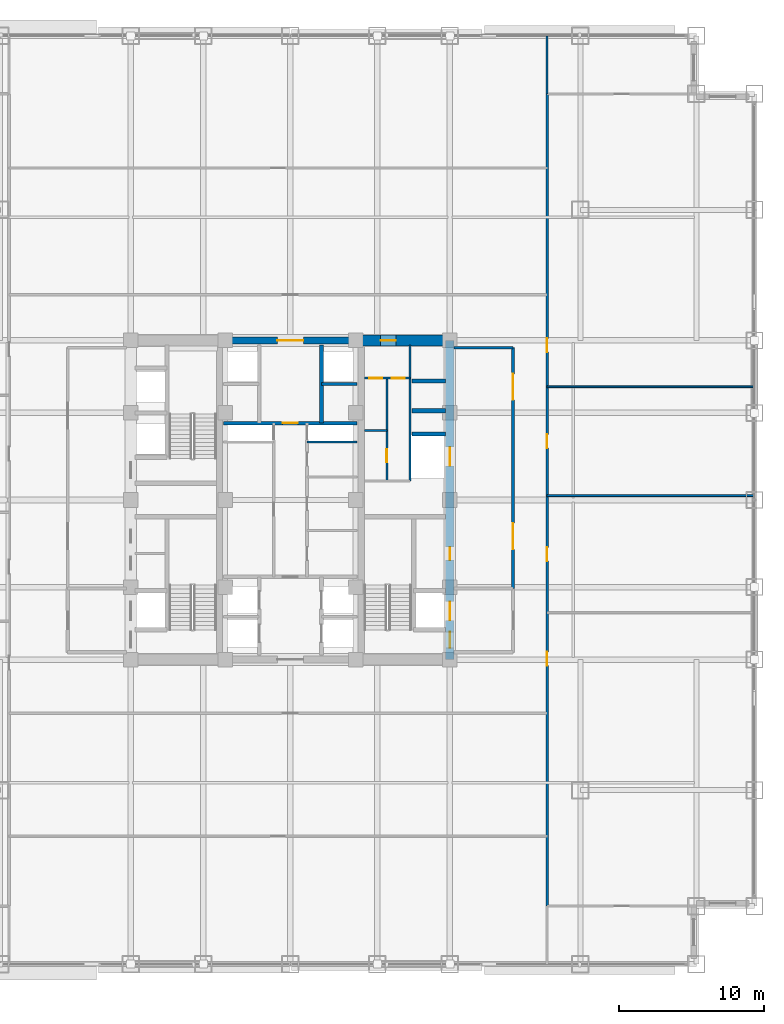
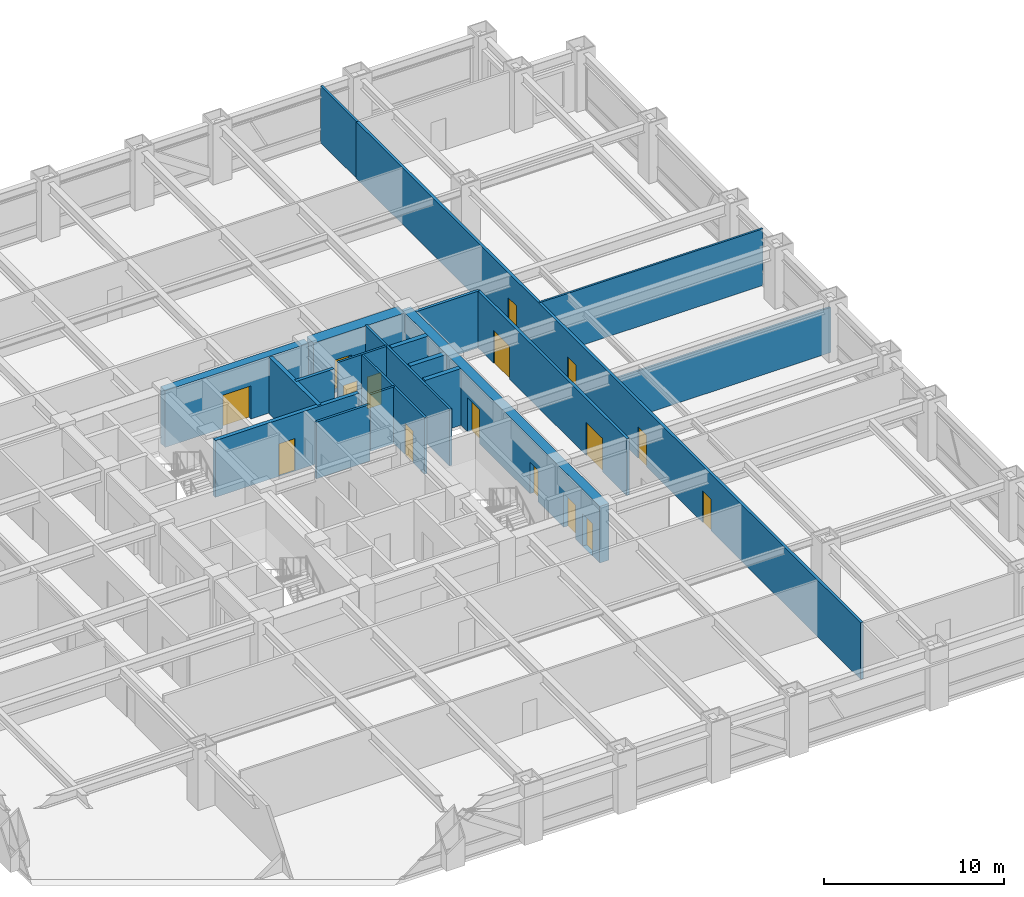
# One storey, part 26 of 32: 20 walls, 16 doors, 16 openings.
"""IFC4 building model written with IfcOpenShell, lengths in metres."""

from ifc_helpers import new_model, si_unit, direction, frame, frame_2d, origin, place, context, subcontext, project, spatial, rectangle, extrude, source, transform, mapped, material, layer, layer_set, type_object, element, fill, save


model = new_model("IFC4")

# Units and contexts
model_context = context("Model", 3, precision=1e-05, world=origin(), true_north=direction((0.0, 1.0)))
body_context = subcontext(model_context, "Body", "Model", "MODEL_VIEW")
ifc_project = project(units=[si_unit("LENGTHUNIT", "METRE"), si_unit("AREAUNIT", "SQUARE_METRE"), si_unit("VOLUMEUNIT", "CUBIC_METRE"), si_unit("PLANEANGLEUNIT", "RADIAN"), si_unit("MASSUNIT", "GRAM", prefix="KILO")], contexts=[model_context])

# Site, building, storey
site_placement = place(None, origin())
site = spatial("IfcSite", under=ifc_project, at=site_placement, CompositionType="ELEMENT")
building_placement = place(site_placement, origin())
building = spatial("IfcBuilding", under=site, at=building_placement, Name="Khorayat Bourse Tower", CompositionType="ELEMENT")
storey_placement = place(building_placement, frame((0.0, 0.0, 95.5)))
storey = spatial("IfcBuildingStorey", under=building, at=storey_placement, Name="L21", CompositionType="ELEMENT", Elevation=95.5)

# Wall, openings, doors
ifc_material_1 = material(Name="Concrete C60/75", Category="concrete")
ifc_layer_1 = layer(ifc_material_1, 0.60009765625)
ifc_layer_set_1 = layer_set([ifc_layer_1], Name="Concrete C60/75")
wall_type_1 = type_object("IfcWallType", Name="WAL-CORE-600", PredefinedType="SHEAR", material=ifc_layer_set_1)
shared_shape_1 = source(origin(), body_context, "Body", "SweptSolid", [
    extrude(rectangle(XDim=22.0, YDim=0.60009765625, at=frame_2d((11.0, 0.0))), origin(), (0.0, 0.0, 1.0), 3.840087890625),
])
wall_1_placement = place(storey_placement, frame((11.0, -11.0, 0.0), z_axis=(0.0, 0.0, 1.0), x_axis=(0.0, 1.0, 0.0)))
wall_1 = element("IfcWall", 1, at=wall_1_placement, inside=storey, type_object=wall_type_1, Name="L21 Core Shear Wall CORE-E", PredefinedType="SHEAR", context=body_context, shape_type="MappedRepresentation", body=[
    mapped(shared_shape_1, transform((0.0, 0.0, 0.0), scale=1.0)),
])
shared_shape_2 = source(origin(), body_context, "Body", "SweptSolid", [
    extrude(rectangle(XDim=1.10009765625, YDim=2.199951171875, at=frame_2d((0.550048828125, 1.10009765625))), frame((0.0, 0.31005859375, 0.0), z_axis=(0.0, -1.0, 0.0), x_axis=(1.0, 0.0, 0.0)), (0.0, 0.0, 1.0), 0.6201171875),
])
opening_1_placement = place(wall_1_placement, frame((0.800048828125, 0.0, 0.0)))
opening_1 = element("IfcOpeningElement", 2, at=opening_1_placement, cuts=wall_1, Name="Opening DI-01", PredefinedType="OPENING", context=body_context, shape_type="MappedRepresentation", body=[
    mapped(shared_shape_2, transform((0.0, 0.0, 0.0), scale=1.0)),
])
shared_shape_3 = source(origin(), body_context, "Body", "SweptSolid", [
    extrude(rectangle(XDim=0.89990234375, YDim=2.14990234375, at=frame_2d((0.449951171875, 1.074951171875))), frame((0.0, 0.31005859375, 0.0), z_axis=(0.0, -1.0, 0.0), x_axis=(1.0, 0.0, 0.0)), (0.0, 0.0, 1.0), 0.6201171875),
])
opening_2_placement = place(wall_1_placement, frame((6.85009765625, 0.0, 0.0)))
opening_2 = element("IfcOpeningElement", 3, at=opening_2_placement, cuts=wall_1, Name="Opening DI-06", PredefinedType="OPENING", context=body_context, shape_type="MappedRepresentation", body=[
    mapped(shared_shape_3, transform((0.0, 0.0, 0.0), scale=1.0)),
])
shared_shape_4 = source(origin(), body_context, "Body", "SweptSolid", [
    extrude(rectangle(XDim=1.300048828125, YDim=2.300048828125, at=frame_2d((0.64990234375, 1.14990234375))), frame((0.0, 0.31005859375, 0.0), z_axis=(0.0, -1.0, 0.0), x_axis=(1.0, 0.0, 0.0)), (0.0, 0.0, 1.0), 0.6201171875),
])
opening_3_placement = place(wall_1_placement, frame((2.699951171875, 0.0, 0.0)))
opening_3 = element("IfcOpeningElement", 4, at=opening_3_placement, cuts=wall_1, Name="Opening LD-02", PredefinedType="OPENING", context=body_context, shape_type="MappedRepresentation", body=[
    mapped(shared_shape_4, transform((0.0, 0.0, 0.0), scale=1.0)),
])
opening_4_placement = place(wall_1_placement, frame((13.35009765625, 0.0, 0.0)))
opening_4 = element("IfcOpeningElement", 5, at=opening_4_placement, cuts=wall_1, Name="Opening LD-02", PredefinedType="OPENING", context=body_context, shape_type="MappedRepresentation", body=[
    mapped(shared_shape_4, transform((0.0, 0.0, 0.0), scale=1.0)),
])
ifc_material_2 = material(Name="Fire-rated steel acoustic leaf", Category="steel")
door_type_1 = type_object("IfcDoorType", Name="DR-INT-STAIR-1100", OperationType="NOTDEFINED", PredefinedType="DOOR", material=ifc_material_2)
shared_shape_5 = source(origin(), body_context, "Body", "SweptSolid", [
    extrude(rectangle(XDim=1.10009765625, YDim=2.199951171875, at=frame_2d((0.550048828125, 1.10009765625))), frame((0.0, 0.02490234375, 0.0), z_axis=(0.0, -1.0, 0.0), x_axis=(1.0, 0.0, 0.0)), (0.0, 0.0, 1.0), 0.050048828125),
])
door_1_placement = place(opening_1_placement, origin())
door_1 = element("IfcDoor", 6, at=door_1_placement, inside=storey, type_object=door_type_1, Name="L21 Exit Stair 3 Door", OperationType="SINGLE_SWING_LEFT", OverallHeight=2.199951171875, OverallWidth=1.10009765625, PredefinedType="DOOR", context=body_context, shape_type="MappedRepresentation", body=[
    mapped(shared_shape_5, transform((0.0, 0.0, 0.0), scale=1.0)),
])
fill(opening_1, door_1)
ifc_material_3 = material(Name="Moisture-resistant laminate washroom door")
door_type_2 = type_object("IfcDoorType", Name="DR-INT-WC-900", OperationType="NOTDEFINED", PredefinedType="DOOR", material=ifc_material_3)
shared_shape_6 = source(origin(), body_context, "Body", "SweptSolid", [
    extrude(rectangle(XDim=0.89990234375, YDim=2.14990234375, at=frame_2d((0.449951171875, 1.074951171875))), frame((0.0, 0.02490234375, 0.0), z_axis=(0.0, -1.0, 0.0), x_axis=(1.0, 0.0, 0.0)), (0.0, 0.0, 1.0), 0.050048828125),
])
door_2_placement = place(opening_2_placement, origin())
door_2 = element("IfcDoor", 7, at=door_2_placement, inside=storey, type_object=door_type_2, Name="L21 Telecom Server Plant Room Door", OperationType="SINGLE_SWING_LEFT", OverallHeight=2.14990234375, OverallWidth=0.89990234375, PredefinedType="DOOR", context=body_context, shape_type="MappedRepresentation", body=[
    mapped(shared_shape_6, transform((0.0, 0.0, 0.0), scale=1.0)),
])
fill(opening_2, door_2)
ifc_material_4 = material(Name="Fire-rated stainless-steel sliding landing door", Category="steel")
door_type_3 = type_object("IfcDoorType", Name="DR-LIFT-FF-1300", OperationType="NOTDEFINED", PredefinedType="DOOR", material=ifc_material_4)
shared_shape_7 = source(origin(), body_context, "Body", "SweptSolid", [
    extrude(rectangle(XDim=1.300048828125, YDim=2.300048828125, at=frame_2d((0.64990234375, 1.14990234375))), frame((0.0, 0.02490234375, 0.0), z_axis=(0.0, -1.0, 0.0), x_axis=(1.0, 0.0, 0.0)), (0.0, 0.0, 1.0), 0.050048828125),
])
door_3_placement = place(opening_3_placement, origin())
door_3 = element("IfcDoor", 8, at=door_3_placement, inside=storey, type_object=door_type_3, Name="L21 Lift FFL-02 Sliding Landing Door", OperationType="SLIDING_TO_LEFT", OverallHeight=2.300048828125, OverallWidth=1.300048828125, PredefinedType="DOOR", context=body_context, shape_type="MappedRepresentation", body=[
    mapped(shared_shape_7, transform((0.0, 0.0, 0.0), scale=1.0)),
])
fill(opening_3, door_3)
door_4_placement = place(opening_4_placement, origin())
door_4 = element("IfcDoor", 9, at=door_4_placement, inside=storey, type_object=door_type_3, Name="L21 Lift SVL-01 Sliding Landing Door", OperationType="SLIDING_TO_LEFT", OverallHeight=2.300048828125, OverallWidth=1.300048828125, PredefinedType="DOOR", context=body_context, shape_type="MappedRepresentation", body=[
    mapped(shared_shape_7, transform((0.0, 0.0, 0.0), scale=1.0)),
])
fill(opening_4, door_4)

# Wall, opening, door
ifc_material_5 = material(Name="Concrete C72/90", Category="concrete")
ifc_layer_2 = layer(ifc_material_5, 0.75)
ifc_layer_set_2 = layer_set([ifc_layer_2], Name="Concrete C72/90")
wall_type_2 = type_object("IfcWallType", Name="WAL-CORE-750", PredefinedType="SHEAR", material=ifc_layer_set_2)
shared_shape_8 = source(origin(), body_context, "Body", "SweptSolid", [
    extrude(rectangle(XDim=5.849853515625, YDim=0.75, at=frame_2d((2.9248046875, 0.0))), origin(), (0.0, 0.0, 1.0), 3.840087890625),
])
wall_2_placement = place(storey_placement, frame((4.85009765625, 11.0, 0.0), z_axis=(0.0, 0.0, 1.0), x_axis=(1.0, 0.0, 0.0)))
wall_2 = element("IfcWall", 10, at=wall_2_placement, inside=storey, type_object=wall_type_2, Name="L21 Core Shear Wall PIER-EN", PredefinedType="SHEAR", context=body_context, shape_type="MappedRepresentation", body=[
    mapped(shared_shape_8, transform((0.0, 0.0, 0.0), scale=1.0)),
])
shared_shape_9 = source(origin(), body_context, "Body", "SweptSolid", [
    extrude(rectangle(XDim=1.050048828125, YDim=2.199951171875, at=frame_2d((0.52490234375, 1.10009765625))), frame((0.0, 0.385009765625, 0.0), z_axis=(0.0, -1.0, 0.0), x_axis=(1.0, 0.0, 0.0)), (0.0, 0.0, 1.0), 0.77001953125),
])
opening_5_placement = place(wall_2_placement, frame((1.375, 0.0, 0.0)))
opening_5 = element("IfcOpeningElement", 11, at=opening_5_placement, cuts=wall_2, Name="Opening DI-04", PredefinedType="OPENING", context=body_context, shape_type="MappedRepresentation", body=[
    mapped(shared_shape_9, transform((0.0, 0.0, 0.0), scale=1.0)),
])
ifc_material_6 = material(Name="Fire-rated oak veneer suite entrance door")
door_type_4 = type_object("IfcDoorType", Name="DR-INT-SUITE-1050", OperationType="NOTDEFINED", PredefinedType="DOOR", material=ifc_material_6)
shared_shape_10 = source(origin(), body_context, "Body", "SweptSolid", [
    extrude(rectangle(XDim=1.050048828125, YDim=2.199951171875, at=frame_2d((0.52490234375, 1.10009765625))), frame((0.0, 0.02490234375, 0.0), z_axis=(0.0, -1.0, 0.0), x_axis=(1.0, 0.0, 0.0)), (0.0, 0.0, 1.0), 0.050048828125),
])
door_5_placement = place(opening_5_placement, origin())
door_5 = element("IfcDoor", 12, at=door_5_placement, inside=storey, type_object=door_type_4, Name="L21 Core Washroom Lobby Door", OperationType="SINGLE_SWING_LEFT", OverallHeight=2.199951171875, OverallWidth=1.050048828125, PredefinedType="DOOR", context=body_context, shape_type="MappedRepresentation", body=[
    mapped(shared_shape_10, transform((0.0, 0.0, 0.0), scale=1.0)),
])
fill(opening_5, door_5)

ifc_material_7 = material(Name="Concrete C52/65", Category="concrete")
ifc_layer_3 = layer(ifc_material_7, 0.5)
ifc_layer_set_3 = layer_set([ifc_layer_3], Name="Concrete C52/65")
wall_type_3 = type_object("IfcWallType", Name="WAL-CORE-500", PredefinedType="SHEAR", material=ifc_layer_set_3)
shared_shape_11 = source(origin(), body_context, "Body", "SweptSolid", [
    extrude(rectangle(XDim=9.2001953125, YDim=0.5, at=frame_2d((4.60009765625, 0.0))), origin(), (0.0, 0.0, 1.0), 3.840087890625),
])
wall_3_placement = place(storey_placement, frame((-4.60009765625, 11.0, 0.0), z_axis=(0.0, 0.0, 1.0), x_axis=(1.0, 0.0, 0.0)))
wall_3 = element("IfcWall", 13, at=wall_3_placement, inside=storey, type_object=wall_type_3, Name="L21 Core Shear Wall CORE-N", PredefinedType="SHEAR", context=body_context, shape_type="MappedRepresentation", body=[
    mapped(shared_shape_11, transform((0.0, 0.0, 0.0), scale=1.0)),
])
shared_shape_12 = source(origin(), body_context, "Body", "SweptSolid", [
    extrude(rectangle(XDim=1.800048828125, YDim=2.25, at=frame_2d((0.89990234375, 1.125))), frame((0.0, 0.260009765625, 0.0), z_axis=(0.0, -1.0, 0.0), x_axis=(1.0, 0.0, 0.0)), (0.0, 0.0, 1.0), 0.52001953125),
])
opening_6_placement = place(wall_3_placement, frame((3.699951171875, 0.0, 0.0)))
opening_6 = element("IfcOpeningElement", 14, at=opening_6_placement, cuts=wall_3, Name="Opening DI-03", PredefinedType="OPENING", context=body_context, shape_type="MappedRepresentation", body=[
    mapped(shared_shape_12, transform((0.0, 0.0, 0.0), scale=1.0)),
])
ifc_material_8 = material(Name="Fire-rated hardwood vision-panel double leaf", Category="wood")
door_type_5 = type_object("IfcDoorType", Name="DR-INT-CORR-1800", OperationType="NOTDEFINED", PredefinedType="DOOR", material=ifc_material_8)
shared_shape_13 = source(origin(), body_context, "Body", "SweptSolid", [
    extrude(rectangle(XDim=1.800048828125, YDim=2.25, at=frame_2d((0.89990234375, 1.125))), frame((0.0, 0.02490234375, 0.0), z_axis=(0.0, -1.0, 0.0), x_axis=(1.0, 0.0, 0.0)), (0.0, 0.0, 1.0), 0.050048828125),
])
door_6_placement = place(opening_6_placement, origin())
door_6 = element("IfcDoor", 15, at=door_6_placement, inside=storey, type_object=door_type_5, Name="L21 Mid-Rise Lift Lobby Door", OperationType="SINGLE_SWING_RIGHT", OverallHeight=2.25, OverallWidth=1.800048828125, PredefinedType="DOOR", context=body_context, shape_type="MappedRepresentation", body=[
    mapped(shared_shape_13, transform((0.0, 0.0, 0.0), scale=1.0)),
])
fill(opening_6, door_6)

# Walls
ifc_material_9 = material(Name="Concrete C50/60", Category="concrete")
ifc_layer_4 = layer(ifc_material_9, 0.300048828125)
ifc_layer_set_4 = layer_set([ifc_layer_4], Name="Concrete C50/60")
wall_type_4 = type_object("IfcWallType", Name="WAL-SHAFT-300", PredefinedType="SHEAR", material=ifc_layer_set_4)
shared_shape_14 = source(origin(), body_context, "Body", "SweptSolid", [
    extrude(rectangle(XDim=2.300048828125, YDim=0.300048828125, at=frame_2d((1.14990234375, 0.0))), origin(), (0.0, 0.0, 1.0), 3.840087890625),
])
for number, where, z_axis, x_axis, name in (
    (16, (8.39990234375, 4.550048828125, 0.0), (0.0, 0.0, 1.0), (1.0, 0.0, 0.0), "L21 Partition WAL-L21-EPIER-SVLN"),
    (17, (8.39990234375, 6.14990234375, 0.0), (0.0, 0.0, 1.0), (1.0, 0.0, 0.0), "L21 Partition WAL-L21-EPIER-H3S"),
    (18, (8.39990234375, 8.199951171875, 0.0), (0.0, 0.0, 1.0), (1.0, 0.0, 0.0), "L21 Partition WAL-L21-EPIER-H34"),
):
    element("IfcWall", number, at=place(storey_placement, frame(where, z_axis=z_axis, x_axis=x_axis)), inside=storey, type_object=wall_type_4, Name=name, PredefinedType="SHEAR", context=body_context, shape_type="MappedRepresentation", body=[
        mapped(shared_shape_14, transform((0.0, 0.0, 0.0), scale=1.0)),
    ])
ifc_material_10 = material(Name="Moisture-resistant masonry partition", Category="masonry")
ifc_layer_5 = layer(ifc_material_10, 0.139892578125)
ifc_layer_set_5 = layer_set([ifc_layer_5], Name="Moisture-resistant masonry partition")
wall_type_5 = type_object("IfcWallType", Name="WAL-PART-WET-140", PredefinedType="PARTITIONING", material=ifc_layer_set_5)
shared_shape_15 = source(origin(), body_context, "Body", "SweptSolid", [
    extrude(rectangle(XDim=9.39990234375, YDim=0.139892578125, at=frame_2d((4.699951171875, 0.0))), origin(), (0.0, 0.0, 1.0), 3.840087890625),
])
wall_4_placement = place(storey_placement, frame((8.25, 1.300048828125, 0.0), z_axis=(0.0, 0.0, 1.0), x_axis=(0.0, 1.0, 0.0)))
element("IfcWall", 19, at=wall_4_placement, inside=storey, type_object=wall_type_5, Name="L21 Partition WAL-L21-ECORE-E", PredefinedType="PARTITIONING", context=body_context, shape_type="MappedRepresentation", body=[
    mapped(shared_shape_15, transform((0.0, 0.0, 0.0), scale=1.0)),
])

# Wall, openings, doors
shared_shape_16 = source(origin(), body_context, "Body", "SweptSolid", [
    extrude(rectangle(XDim=3.14990234375, YDim=0.139892578125, at=frame_2d((1.574951171875, 0.0))), origin(), (0.0, 0.0, 1.0), 3.840087890625),
])
wall_5_placement = place(storey_placement, frame((5.10009765625, 8.39990234375, 0.0), z_axis=(0.0, 0.0, 1.0), x_axis=(1.0, 0.0, 0.0)))
wall_5 = element("IfcWall", 20, at=wall_5_placement, inside=storey, type_object=wall_type_5, Name="L21 Partition WAL-L21-ECW-TOP", PredefinedType="PARTITIONING", context=body_context, shape_type="MappedRepresentation", body=[
    mapped(shared_shape_16, transform((0.0, 0.0, 0.0), scale=1.0)),
])
shared_shape_17 = source(origin(), body_context, "Body", "SweptSolid", [
    extrude(rectangle(XDim=0.89990234375, YDim=2.14990234375, at=frame_2d((0.449951171875, 1.074951171875))), frame((0.0, 0.079833984375, 0.0), z_axis=(0.0, -1.0, 0.0), x_axis=(1.0, 0.0, 0.0)), (0.0, 0.0, 1.0), 0.159912109375),
])
opening_7_placement = place(wall_5_placement, frame((0.330078125, 0.0, 0.0)))
opening_7 = element("IfcOpeningElement", 21, at=opening_7_placement, cuts=wall_5, Name="Opening DI-06", PredefinedType="OPENING", context=body_context, shape_type="MappedRepresentation", body=[
    mapped(shared_shape_17, transform((0.0, 0.0, 0.0), scale=1.0)),
])
opening_8_placement = place(wall_5_placement, frame((1.89990234375, 0.0, 0.0)))
opening_8 = element("IfcOpeningElement", 22, at=opening_8_placement, cuts=wall_5, Name="Opening DI-06", PredefinedType="OPENING", context=body_context, shape_type="MappedRepresentation", body=[
    mapped(shared_shape_17, transform((0.0, 0.0, 0.0), scale=1.0)),
])
door_7_placement = place(opening_7_placement, origin())
door_7 = element("IfcDoor", 23, at=door_7_placement, inside=storey, type_object=door_type_2, Name="L21 Accessible WC Door", OperationType="SINGLE_SWING_LEFT", OverallHeight=2.14990234375, OverallWidth=0.89990234375, PredefinedType="DOOR", context=body_context, shape_type="MappedRepresentation", body=[
    mapped(shared_shape_6, transform((0.0, 0.0, 0.0), scale=1.0)),
])
fill(opening_7, door_7)
door_8_placement = place(opening_8_placement, origin())
door_8 = element("IfcDoor", 24, at=door_8_placement, inside=storey, type_object=door_type_2, Name="L21 Shared Washroom Door", OperationType="SINGLE_SWING_RIGHT", OverallHeight=2.14990234375, OverallWidth=0.89990234375, PredefinedType="DOOR", context=body_context, shape_type="MappedRepresentation", body=[
    mapped(shared_shape_6, transform((0.0, 0.0, 0.0), scale=1.0)),
])
fill(opening_8, door_8)

# Wall, opening, door
shared_shape_18 = source(origin(), body_context, "Body", "SweptSolid", [
    extrude(rectangle(XDim=7.099853515625, YDim=0.139892578125, at=frame_2d((3.5498046875, 0.0))), origin(), (0.0, 0.0, 1.0), 3.840087890625),
])
wall_6_placement = place(storey_placement, frame((6.64990234375, 1.300048828125, 0.0), z_axis=(0.0, 0.0, 1.0), x_axis=(0.0, 1.0, 0.0)))
wall_6 = element("IfcWall", 25, at=wall_6_placement, inside=storey, type_object=wall_type_5, Name="L21 Partition WAL-L21-ECW-MID", PredefinedType="PARTITIONING", context=body_context, shape_type="MappedRepresentation", body=[
    mapped(shared_shape_18, transform((0.0, 0.0, 0.0), scale=1.0)),
])
opening_9_placement = place(wall_6_placement, frame((1.300048828125, 0.0, 0.0)))
opening_9 = element("IfcOpeningElement", 26, at=opening_9_placement, cuts=wall_6, Name="Opening DI-06", PredefinedType="OPENING", context=body_context, shape_type="MappedRepresentation", body=[
    mapped(shared_shape_17, transform((0.0, 0.0, 0.0), scale=1.0)),
])
door_9_placement = place(opening_9_placement, origin())
door_9 = element("IfcDoor", 27, at=door_9_placement, inside=storey, type_object=door_type_2, Name="L21 Janitor Store Door", OperationType="SINGLE_SWING_LEFT", OverallHeight=2.14990234375, OverallWidth=0.89990234375, PredefinedType="DOOR", context=body_context, shape_type="MappedRepresentation", body=[
    mapped(shared_shape_6, transform((0.0, 0.0, 0.0), scale=1.0)),
])
fill(opening_9, door_9)

# Walls
shared_shape_19 = source(origin(), body_context, "Body", "SweptSolid", [
    extrude(rectangle(XDim=1.5498046875, YDim=0.139892578125, at=frame_2d((0.77490234375, 0.0))), origin(), (0.0, 0.0, 1.0), 3.840087890625),
])
wall_7_placement = place(storey_placement, frame((5.10009765625, 4.800048828125, 0.0), z_axis=(0.0, 0.0, 1.0), x_axis=(1.0, 0.0, 0.0)))
element("IfcWall", 28, at=wall_7_placement, inside=storey, type_object=wall_type_5, Name="L21 Partition WAL-L21-ECW-BOT", PredefinedType="PARTITIONING", context=body_context, shape_type="MappedRepresentation", body=[
    mapped(shared_shape_19, transform((0.0, 0.0, 0.0), scale=1.0)),
])
ifc_material_11 = material(Name="Gypsum plasterboard acoustic stud wall")
ifc_layer_6 = layer(ifc_material_11, 0.179931640625)
ifc_layer_set_6 = layer_set([ifc_layer_6], Name="Gypsum plasterboard acoustic stud wall")
wall_type_6 = type_object("IfcWallType", Name="WAL-PART-CORR-180", PredefinedType="PARTITIONING", material=ifc_layer_set_6)
shared_shape_20 = source(origin(), body_context, "Body", "SweptSolid", [
    extrude(rectangle(XDim=4.050048828125, YDim=0.179931640625, at=frame_2d((2.02490234375, 0.0))), origin(), (0.0, 0.0, 1.0), 3.840087890625),
])
wall_8_placement = place(storey_placement, frame((11.300048828125, 10.5, 0.0), z_axis=(0.0, 0.0, 1.0), x_axis=(1.0, 0.0, 0.0)))
element("IfcWall", 29, at=wall_8_placement, inside=storey, type_object=wall_type_6, Name="L21 Partition WAL-L21-ELOB-N", PredefinedType="PARTITIONING", context=body_context, shape_type="MappedRepresentation", body=[
    mapped(shared_shape_20, transform((0.0, 0.0, 0.0), scale=1.0)),
])

# Wall, openings, doors
shared_shape_21 = source(origin(), body_context, "Body", "SweptSolid", [
    extrude(rectangle(XDim=16.60009765625, YDim=0.179931640625, at=frame_2d((8.300048828125, 0.0))), origin(), (0.0, 0.0, 1.0), 3.840087890625),
])
wall_9_placement = place(storey_placement, frame((15.35009765625, -6.10009765625, 0.0), z_axis=(0.0, 0.0, 1.0), x_axis=(0.0, 1.0, 0.0)))
wall_9 = element("IfcWall", 30, at=wall_9_placement, inside=storey, type_object=wall_type_6, Name="L21 Partition WAL-L21-ELOB-E", PredefinedType="PARTITIONING", context=body_context, shape_type="MappedRepresentation", body=[
    mapped(shared_shape_21, transform((0.0, 0.0, 0.0), scale=1.0)),
])
shared_shape_22 = source(origin(), body_context, "Body", "SweptSolid", [
    extrude(rectangle(XDim=1.800048828125, YDim=2.25, at=frame_2d((0.89990234375, 1.125))), frame((0.0, 0.099853515625, 0.0), z_axis=(0.0, -1.0, 0.0), x_axis=(1.0, 0.0, 0.0)), (0.0, 0.0, 1.0), 0.199951171875),
])
opening_10_placement = place(wall_9_placement, frame((2.699951171875, 0.0, 0.0)))
opening_10 = element("IfcOpeningElement", 31, at=opening_10_placement, cuts=wall_9, Name="Opening DI-03", PredefinedType="OPENING", context=body_context, shape_type="MappedRepresentation", body=[
    mapped(shared_shape_22, transform((0.0, 0.0, 0.0), scale=1.0)),
])
opening_11_placement = place(wall_9_placement, frame((13.0, 0.0, 0.0)))
opening_11 = element("IfcOpeningElement", 32, at=opening_11_placement, cuts=wall_9, Name="Opening DI-03", PredefinedType="OPENING", context=body_context, shape_type="MappedRepresentation", body=[
    mapped(shared_shape_22, transform((0.0, 0.0, 0.0), scale=1.0)),
])
door_10_placement = place(opening_10_placement, origin())
door_10 = element("IfcDoor", 33, at=door_10_placement, inside=storey, type_object=door_type_5, Name="L21 East Core Lobby South Door", OperationType="SINGLE_SWING_RIGHT", OverallHeight=2.25, OverallWidth=1.800048828125, PredefinedType="DOOR", context=body_context, shape_type="MappedRepresentation", body=[
    mapped(shared_shape_13, transform((0.0, 0.0, 0.0), scale=1.0)),
])
fill(opening_10, door_10)
door_11_placement = place(opening_11_placement, origin())
door_11 = element("IfcDoor", 34, at=door_11_placement, inside=storey, type_object=door_type_5, Name="L21 East Core Lobby North Door", OperationType="SINGLE_SWING_LEFT", OverallHeight=2.25, OverallWidth=1.800048828125, PredefinedType="DOOR", context=body_context, shape_type="MappedRepresentation", body=[
    mapped(shared_shape_13, transform((0.0, 0.0, 0.0), scale=1.0)),
])
fill(opening_11, door_11)

# Walls
ifc_material_12 = material(Name="Gypsum plasterboard twin-frame partition")
ifc_layer_7 = layer(ifc_material_12, 0.14990234375)
ifc_layer_set_7 = layer_set([ifc_layer_7], Name="Gypsum plasterboard twin-frame partition")
wall_type_7 = type_object("IfcWallType", Name="WAL-PART-SUITE-150", PredefinedType="PARTITIONING", material=ifc_layer_set_7)
shared_shape_23 = source(origin(), body_context, "Body", "SweptSolid", [
    extrude(rectangle(XDim=3.4501953125, YDim=0.14990234375, at=frame_2d((1.72509765625, 0.0))), origin(), (0.0, 0.0, 1.0), 3.840087890625),
])
wall_10_placement = place(storey_placement, frame((1.14990234375, 4.0, 0.0), z_axis=(0.0, 0.0, 1.0), x_axis=(1.0, 0.0, 0.0)))
element("IfcWall", 35, at=wall_10_placement, inside=storey, type_object=wall_type_7, Name="L21 Partition WAL-L21-CRSE-S", PredefinedType="PARTITIONING", context=body_context, shape_type="MappedRepresentation", body=[
    mapped(shared_shape_23, transform((0.0, 0.0, 0.0), scale=1.0)),
])
shared_shape_24 = source(origin(), body_context, "Body", "SweptSolid", [
    extrude(rectangle(XDim=5.39990234375, YDim=0.25, at=frame_2d((2.699951171875, 0.0))), origin(), (0.0, 0.0, 1.0), 3.840087890625),
])
wall_11_placement = place(storey_placement, frame((2.14990234375, 5.300048828125, 0.0), z_axis=(0.0, 0.0, 1.0), x_axis=(0.0, 1.0, 0.0)))
element("IfcWall", 36, at=wall_11_placement, inside=storey, type_object=wall_type_4, Name="L21 Partition WAL-L21-B2-E", PredefinedType="SHEAR", context=body_context, shape_type="MappedRepresentation", body=[
    mapped(shared_shape_24, transform((0.0, 0.0, 0.0), scale=1.0)),
])
shared_shape_25 = source(origin(), body_context, "Body", "SweptSolid", [
    extrude(rectangle(XDim=2.4501953125, YDim=0.199951171875, at=frame_2d((1.22509765625, 0.0))), origin(), (0.0, 0.0, 1.0), 3.840087890625),
])
wall_12_placement = place(storey_placement, frame((2.14990234375, 8.0, 0.0), z_axis=(0.0, 0.0, 1.0), x_axis=(1.0, 0.0, 0.0)))
element("IfcWall", 37, at=wall_12_placement, inside=storey, type_object=wall_type_4, Name="L21 Partition WAL-L21-B2-ME", PredefinedType="SHEAR", context=body_context, shape_type="MappedRepresentation", body=[
    mapped(shared_shape_25, transform((0.0, 0.0, 0.0), scale=1.0)),
])

# Wall, opening, door
shared_shape_26 = source(origin(), body_context, "Body", "SweptSolid", [
    extrude(rectangle(XDim=9.2001953125, YDim=0.25, at=frame_2d((4.60009765625, 0.0))), origin(), (0.0, 0.0, 1.0), 3.840087890625),
])
wall_13_placement = place(storey_placement, frame((-4.60009765625, 5.300048828125, 0.0), z_axis=(0.0, 0.0, 1.0), x_axis=(1.0, 0.0, 0.0)))
wall_13 = element("IfcWall", 38, at=wall_13_placement, inside=storey, type_object=wall_type_4, Name="L21 Partition WAL-L21-B2-S", PredefinedType="SHEAR", context=body_context, shape_type="MappedRepresentation", body=[
    mapped(shared_shape_26, transform((0.0, 0.0, 0.0), scale=1.0)),
])
shared_shape_27 = source(origin(), body_context, "Body", "SweptSolid", [
    extrude(rectangle(XDim=1.050048828125, YDim=2.199951171875, at=frame_2d((0.52490234375, 1.10009765625))), frame((0.0, 0.135009765625, 0.0), z_axis=(0.0, -1.0, 0.0), x_axis=(1.0, 0.0, 0.0)), (0.0, 0.0, 1.0), 0.27001953125),
])
opening_12_placement = place(wall_13_placement, frame((4.074951171875, 0.0, 0.0)))
opening_12 = element("IfcOpeningElement", 39, at=opening_12_placement, cuts=wall_13, Name="Opening DI-04", PredefinedType="OPENING", context=body_context, shape_type="MappedRepresentation", body=[
    mapped(shared_shape_27, transform((0.0, 0.0, 0.0), scale=1.0)),
])
door_12_placement = place(opening_12_placement, origin())
door_12 = element("IfcDoor", 40, at=door_12_placement, inside=storey, type_object=door_type_4, Name="L21 Core Spine North Door", OperationType="SINGLE_SWING_RIGHT", OverallHeight=2.199951171875, OverallWidth=1.050048828125, PredefinedType="DOOR", context=body_context, shape_type="MappedRepresentation", body=[
    mapped(shared_shape_10, transform((0.0, 0.0, 0.0), scale=1.0)),
])
fill(opening_12, door_12)

# Walls
shared_shape_28 = source(origin(), body_context, "Body", "SweptSolid", [
    extrude(rectangle(XDim=4.0, YDim=0.14990234375, at=frame_2d((2.0, 0.0))), origin(), (0.0, 0.0, 1.0), 3.840087890625),
])
wall_14_placement = place(storey_placement, frame((17.699951171875, 28.0, 0.0), z_axis=(0.0, 0.0, 1.0), x_axis=(0.0, 1.0, 0.0)))
element("IfcWall", 41, at=wall_14_placement, inside=storey, type_object=wall_type_7, Name="L21 Partition WAL-L21-NCE-END", PredefinedType="PARTITIONING", context=body_context, shape_type="MappedRepresentation", body=[
    mapped(shared_shape_28, transform((0.0, 0.0, 0.0), scale=1.0)),
])
ifc_material_13 = material(Name="Gypsum plasterboard partition")
ifc_layer_8 = layer(ifc_material_13, 0.125)
ifc_layer_set_8 = layer_set([ifc_layer_8], Name="Gypsum plasterboard partition")
wall_type_8 = type_object("IfcWallType", Name="WAL-PART-ROOM-125", PredefinedType="PARTITIONING", material=ifc_layer_set_8)
shared_shape_29 = source(origin(), body_context, "Body", "SweptSolid", [
    extrude(rectangle(XDim=14.300048828125, YDim=0.125, at=frame_2d((7.14990234375, 0.0))), origin(), (0.0, 0.0, 1.0), 3.840087890625),
])
wall_15_placement = place(storey_placement, frame((17.699951171875, 7.802978515625, 0.0), z_axis=(0.0, 0.0, 1.0), x_axis=(1.0, 0.0, 0.0)))
element("IfcWall", 42, at=wall_15_placement, inside=storey, type_object=wall_type_8, Name="L21 Partition WAL-L21-EDV-3", PredefinedType="PARTITIONING", context=body_context, shape_type="MappedRepresentation", body=[
    mapped(shared_shape_29, transform((0.0, 0.0, 0.0), scale=1.0)),
])

# Wall, openings, doors
shared_shape_30 = source(origin(), body_context, "Body", "SweptSolid", [
    extrude(rectangle(XDim=56.0, YDim=0.179931640625, at=frame_2d((28.0, 0.0))), origin(), (0.0, 0.0, 1.0), 3.840087890625),
])
wall_16_placement = place(storey_placement, frame((17.699951171875, -28.0, 0.0), z_axis=(0.0, 0.0, 1.0), x_axis=(0.0, 1.0, 0.0)))
wall_16 = element("IfcWall", 43, at=wall_16_placement, inside=storey, type_object=wall_type_6, Name="L21 Partition WAL-L21-ECORR", PredefinedType="PARTITIONING", context=body_context, shape_type="MappedRepresentation", body=[
    mapped(shared_shape_30, transform((0.0, 0.0, 0.0), scale=1.0)),
])
shared_shape_31 = source(origin(), body_context, "Body", "SweptSolid", [
    extrude(rectangle(XDim=0.949951171875, YDim=2.14990234375, at=frame_2d((0.47509765625, 1.074951171875))), frame((0.0, 0.099853515625, 0.0), z_axis=(0.0, -1.0, 0.0), x_axis=(1.0, 0.0, 0.0)), (0.0, 0.0, 1.0), 0.199951171875),
])
opening_13_placement = place(wall_16_placement, frame((16.5869140625, 0.0, 0.0)))
opening_13 = element("IfcOpeningElement", 44, at=opening_13_placement, cuts=wall_16, Name="Opening DI-05", PredefinedType="OPENING", context=body_context, shape_type="MappedRepresentation", body=[
    mapped(shared_shape_31, transform((0.0, 0.0, 0.0), scale=1.0)),
])
opening_14_placement = place(wall_16_placement, frame((23.7880859375, 0.0, 0.0)))
opening_14 = element("IfcOpeningElement", 45, at=opening_14_placement, cuts=wall_16, Name="Opening DI-05", PredefinedType="OPENING", context=body_context, shape_type="MappedRepresentation", body=[
    mapped(shared_shape_31, transform((0.0, 0.0, 0.0), scale=1.0)),
])
opening_15_placement = place(wall_16_placement, frame((31.577392578125, 0.0, 0.0)))
opening_15 = element("IfcOpeningElement", 46, at=opening_15_placement, cuts=wall_16, Name="Opening DI-05", PredefinedType="OPENING", context=body_context, shape_type="MappedRepresentation", body=[
    mapped(shared_shape_31, transform((0.0, 0.0, 0.0), scale=1.0)),
])
opening_16_placement = place(wall_16_placement, frame((38.201416015625, 0.0, 0.0)))
opening_16 = element("IfcOpeningElement", 47, at=opening_16_placement, cuts=wall_16, Name="Opening DI-05", PredefinedType="OPENING", context=body_context, shape_type="MappedRepresentation", body=[
    mapped(shared_shape_31, transform((0.0, 0.0, 0.0), scale=1.0)),
])
ifc_material_14 = material(Name="Acoustic oak veneer office door")
door_type_6 = type_object("IfcDoorType", Name="DR-INT-OFFICE-950", OperationType="NOTDEFINED", PredefinedType="DOOR", material=ifc_material_14)
shared_shape_32 = source(origin(), body_context, "Body", "SweptSolid", [
    extrude(rectangle(XDim=0.949951171875, YDim=2.14990234375, at=frame_2d((0.47509765625, 1.074951171875))), frame((0.0, 0.02490234375, 0.0), z_axis=(0.0, -1.0, 0.0), x_axis=(1.0, 0.0, 0.0)), (0.0, 0.0, 1.0), 0.050048828125),
])
door_13_placement = place(opening_13_placement, origin())
door_13 = element("IfcDoor", 48, at=door_13_placement, inside=storey, type_object=door_type_6, Name="L21 Executive Boardroom E1 Door", OperationType="SINGLE_SWING_RIGHT", OverallHeight=2.14990234375, OverallWidth=0.949951171875, PredefinedType="DOOR", context=body_context, shape_type="MappedRepresentation", body=[
    mapped(shared_shape_32, transform((0.0, 0.0, 0.0), scale=1.0)),
])
fill(opening_13, door_13)
door_14_placement = place(opening_14_placement, origin())
door_14 = element("IfcDoor", 49, at=door_14_placement, inside=storey, type_object=door_type_6, Name="L21 Quantitative Research Study E2 Door", OperationType="SINGLE_SWING_LEFT", OverallHeight=2.14990234375, OverallWidth=0.949951171875, PredefinedType="DOOR", context=body_context, shape_type="MappedRepresentation", body=[
    mapped(shared_shape_32, transform((0.0, 0.0, 0.0), scale=1.0)),
])
fill(opening_14, door_14)
door_15_placement = place(opening_15_placement, origin())
door_15 = element("IfcDoor", 50, at=door_15_placement, inside=storey, type_object=door_type_6, Name="L21 Occupational First Aid Clinic E3 Door", OperationType="SINGLE_SWING_RIGHT", OverallHeight=2.14990234375, OverallWidth=0.949951171875, PredefinedType="DOOR", context=body_context, shape_type="MappedRepresentation", body=[
    mapped(shared_shape_32, transform((0.0, 0.0, 0.0), scale=1.0)),
])
fill(opening_15, door_15)
door_16_placement = place(opening_16_placement, origin())
door_16 = element("IfcDoor", 51, at=door_16_placement, inside=storey, type_object=door_type_6, Name="L21 Clearing Records Archive Store E4 Door", OperationType="SINGLE_SWING_LEFT", OverallHeight=2.14990234375, OverallWidth=0.949951171875, PredefinedType="DOOR", context=body_context, shape_type="MappedRepresentation", body=[
    mapped(shared_shape_32, transform((0.0, 0.0, 0.0), scale=1.0)),
])
fill(opening_16, door_16)

# Wall
shared_shape_33 = source(origin(), body_context, "Body", "SweptSolid", [
    extrude(rectangle(XDim=14.300048828125, YDim=0.125, at=frame_2d((7.14990234375, 0.0))), origin(), (0.0, 0.0, 1.0), 3.06689453125),
])
wall_17_placement = place(storey_placement, frame((17.699951171875, 0.302001953125, 0.0), z_axis=(0.0, 0.0, 1.0), x_axis=(1.0, 0.0, 0.0)))
element("IfcWall", 52, at=wall_17_placement, inside=storey, type_object=wall_type_8, Name="L21 Partition WAL-L21-EDV-2", PredefinedType="PARTITIONING", context=body_context, shape_type="MappedRepresentation", body=[
    mapped(shared_shape_33, transform((0.0, 0.0, 0.0), scale=1.0)),
])

save(model, "model.ifc")
